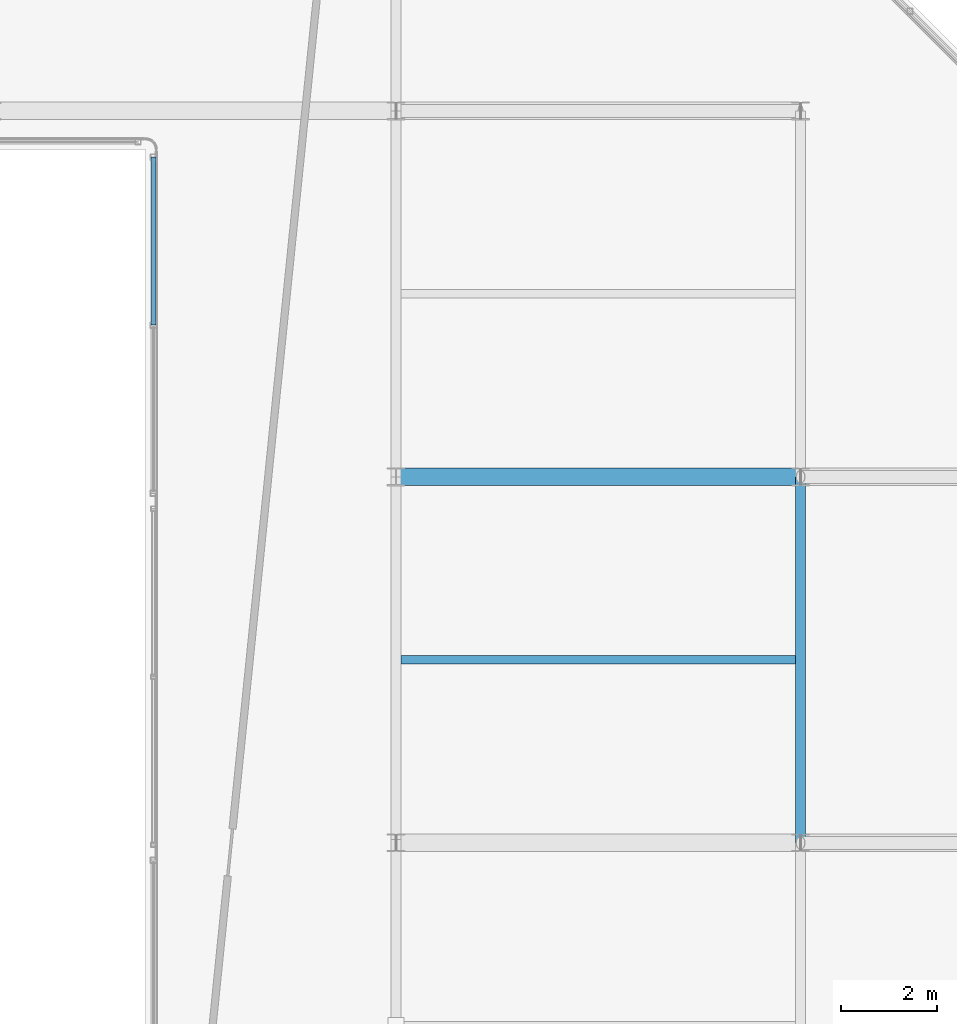
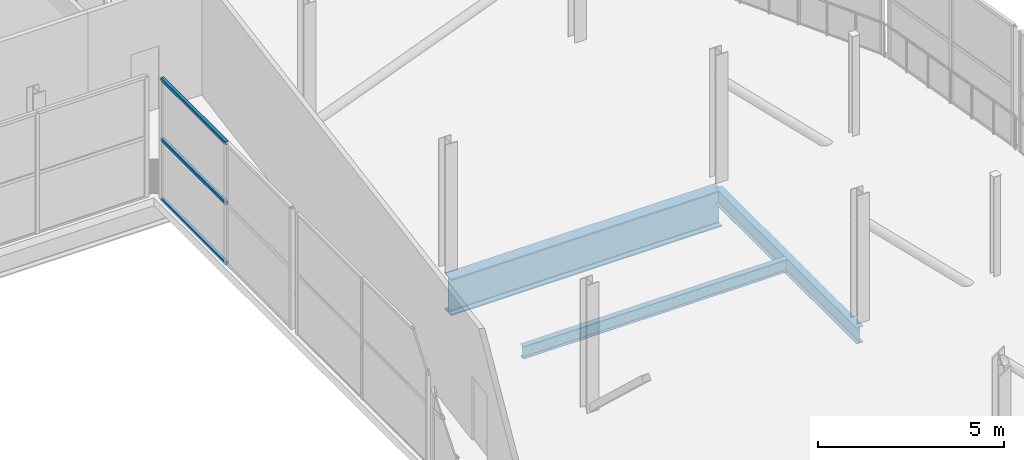
# One storey, part 154 of 217: 3 beams, 3 members, 1 element without a shape of its own.
"""IFC4 building model written with IfcOpenShell, lengths in metres."""

from ifc_helpers import new_model, si_unit, direction, frame, origin, origin_2d, place, context, subcontext, project, spatial, hollow_rectangle, i_section, extrude, material, material_profile, profile_set, type_object, element, aggregate, save


model = new_model("IFC4")

# Units and contexts
model_context = context("Model", 3, precision=1e-05, world=origin(), true_north=direction((0.0, 1.0)))
body_context = subcontext(model_context, "Body", "Model", "MODEL_VIEW")
ifc_project = project(units=[si_unit("LENGTHUNIT", "METRE"), si_unit("AREAUNIT", "SQUARE_METRE"), si_unit("VOLUMEUNIT", "CUBIC_METRE"), si_unit("PLANEANGLEUNIT", "RADIAN"), si_unit("MASSUNIT", "GRAM", prefix="KILO")], contexts=[model_context])

# Site, building, storey
site_placement = place(None, origin())
site = spatial("IfcSite", under=ifc_project, at=site_placement, CompositionType="ELEMENT")
building_placement = place(site_placement, origin())
building = spatial("IfcBuilding", under=site, at=building_placement, Name="Zuvorla Pavilion Media Centre", CompositionType="ELEMENT")
storey_placement = place(building_placement, frame((0.0, 0.0, 9.60009765625)))
storey = spatial("IfcBuildingStorey", under=building, at=storey_placement, Name="L02", CompositionType="ELEMENT", Elevation=9.60009765625)

# Beams
ifc_material_1 = material(Name="Steel S355", Category="steel")
ifc_material_profile_1 = material_profile(ifc_material_1, i_section(OverallWidth=0.360107421875, OverallDepth=1.199951171875, WebThickness=0.02001953125, FlangeThickness=0.0380859375, FilletRadius=0.02392578125, at=origin_2d()), Name="PG 1200x360x38")
ifc_profile_set_1 = profile_set([ifc_material_profile_1], Name="Steel S355")
beam_type_1 = type_object("IfcBeamType", Name="BM-PG1200", PredefinedType="BEAM", material=ifc_profile_set_1)
beam_1_placement = place(storey_placement, frame((159.199951171875, 74.39990234375, -0.8681640625), z_axis=(1.0, 0.0, 0.0), x_axis=(0.0, 1.0, 0.0)))
element("IfcBeam", 1, at=beam_1_placement, inside=storey, type_object=beam_type_1, Name="L02 beam B01 1680", PredefinedType="BEAM", context=body_context, shape_type="SweptSolid", body=[
    extrude(i_section(OverallWidth=0.360107421875, OverallDepth=1.199951171875, WebThickness=0.02001953125, FlangeThickness=0.0380859375, FilletRadius=0.02392578125, at=origin_2d()), origin(), (0.0, 0.0, 1.0), 8.400146484375),
])
ifc_material_profile_2 = material_profile(ifc_material_1, i_section(OverallWidth=0.1787109375, OverallDepth=0.409423828125, WebThickness=0.0087890625, FlangeThickness=0.014404296875, FilletRadius=0.01025390625, at=origin_2d()), Name="UB 406x178x67")
ifc_profile_set_2 = profile_set([ifc_material_profile_2], Name="Steel S355")
beam_type_2 = type_object("IfcBeamType", Name="BM-UB406", PredefinedType="JOIST", material=ifc_profile_set_2)
beam_2_placement = place(storey_placement, frame((159.300048828125, 70.60009765625, -0.472900390625), z_axis=(1.0, 0.0, 0.0), x_axis=(0.0, 1.0, 0.0)))
element("IfcBeam", 2, at=beam_2_placement, inside=storey, type_object=beam_type_2, Name="L02 joist J02 1044", PredefinedType="JOIST", context=body_context, shape_type="SweptSolid", body=[
    extrude(i_section(OverallWidth=0.1787109375, OverallDepth=0.409423828125, WebThickness=0.0087890625, FlangeThickness=0.014404296875, FilletRadius=0.01025390625, at=origin_2d()), origin(), (0.0, 0.0, 1.0), 8.199951171875),
])
ifc_material_profile_3 = material_profile(ifc_material_1, i_section(OverallWidth=0.2099609375, OverallDepth=0.53662109375, WebThickness=0.0107421875, FlangeThickness=0.017333984375, FilletRadius=0.0126953125, at=origin_2d()), Name="UB 533x210x101")
ifc_profile_set_3 = profile_set([ifc_material_profile_3], Name="Steel S355")
beam_type_3 = type_object("IfcBeamType", Name="BM-UB533", PredefinedType="BEAM", material=ifc_profile_set_3)
beam_3_placement = place(storey_placement, frame((167.60009765625, 66.800048828125, -0.536376953125), z_axis=(0.0, 1.0, 0.0), x_axis=(-1.0, 0.0, 0.0)))
element("IfcBeam", 3, at=beam_3_placement, inside=storey, type_object=beam_type_3, Name="L02 beam B08 979", PredefinedType="BEAM", context=body_context, shape_type="SweptSolid", body=[
    extrude(i_section(OverallWidth=0.2099609375, OverallDepth=0.53662109375, WebThickness=0.0107421875, FlangeThickness=0.017333984375, FilletRadius=0.0126953125, at=origin_2d()), origin(), (0.0, 0.0, 1.0), 7.599853515625),
])

# Curtain wall, members
ifc_material_2 = material(Name="Unitised anodised aluminium and solar glass curtain wall", Category="aluminium")
curtain_wall_type = type_object("IfcCurtainWallType", Name="CW-SYS-24", PredefinedType="USERDEFINED", material=ifc_material_2)
curtain_wall_placement = place(storey_placement, origin())
curtain_wall = element("IfcCurtainWall", 4, at=curtain_wall_placement, inside=storey, type_object=curtain_wall_type, Name="L02 curtain wall CW24 94", ObjectType="CURTAIN WALL", PredefinedType="USERDEFINED")
ifc_material_3 = material(Name="Anodised aluminium 6063-T6", Category="aluminium")
ifc_material_profile_4 = material_profile(ifc_material_3, hollow_rectangle(XDim=0.10009765625, YDim=0.10009765625, WallThickness=0.00439453125, at=origin_2d()), Name="ALU TRAN 100x100")
ifc_profile_set_4 = profile_set([ifc_material_profile_4], Name="Anodised aluminium 6063-T6")
member_type = type_object("IfcMemberType", Name="CW-TRAN-100", PredefinedType="USERDEFINED", material=ifc_profile_set_4)
member_1_placement = place(storey_placement, frame((154.159912109375, 77.550048828125, 0.0), z_axis=(0.0, 1.0, 0.0), x_axis=(-1.0, 0.0, 0.0)))
member_1 = element("IfcMember", 5, at=member_1_placement, type_object=member_type, Name="CW24 transom 2.1", ObjectType="TRANSOM", PredefinedType="USERDEFINED", context=body_context, shape_type="SweptSolid", body=[
    extrude(hollow_rectangle(XDim=0.10009765625, YDim=0.10009765625, WallThickness=0.00439453125, at=origin_2d()), origin(), (0.0, 0.0, 1.0), 3.489990234375),
])
member_2_placement = place(storey_placement, frame((154.159912109375, 77.550048828125, 1.974853515625), z_axis=(0.0, 1.0, 0.0), x_axis=(-1.0, 0.0, 0.0)))
member_2 = element("IfcMember", 6, at=member_2_placement, type_object=member_type, Name="CW24 transom 2.2", ObjectType="TRANSOM", PredefinedType="USERDEFINED", context=body_context, shape_type="SweptSolid", body=[
    extrude(hollow_rectangle(XDim=0.10009765625, YDim=0.10009765625, WallThickness=0.00439453125, at=origin_2d()), origin(), (0.0, 0.0, 1.0), 3.489990234375),
])
member_3_placement = place(storey_placement, frame((154.159912109375, 77.550048828125, 3.949951171875), z_axis=(0.0, 1.0, 0.0), x_axis=(-1.0, 0.0, 0.0)))
member_3 = element("IfcMember", 7, at=member_3_placement, type_object=member_type, Name="CW24 transom 2.3", ObjectType="TRANSOM", PredefinedType="USERDEFINED", context=body_context, shape_type="SweptSolid", body=[
    extrude(hollow_rectangle(XDim=0.10009765625, YDim=0.10009765625, WallThickness=0.00439453125, at=origin_2d()), origin(), (0.0, 0.0, 1.0), 3.489990234375),
])
aggregate(curtain_wall, [member_1, member_2, member_3])

save(model, "model.ifc")
